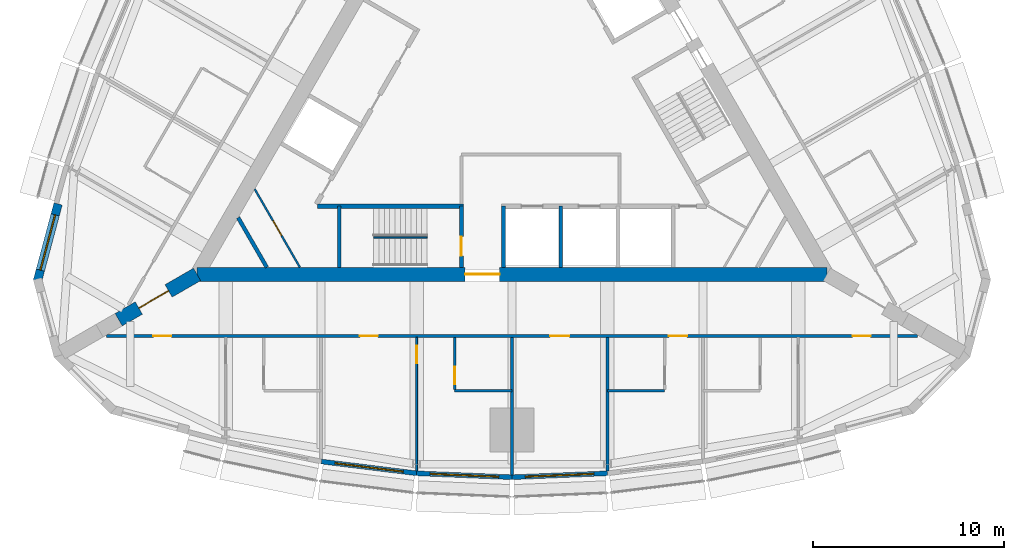
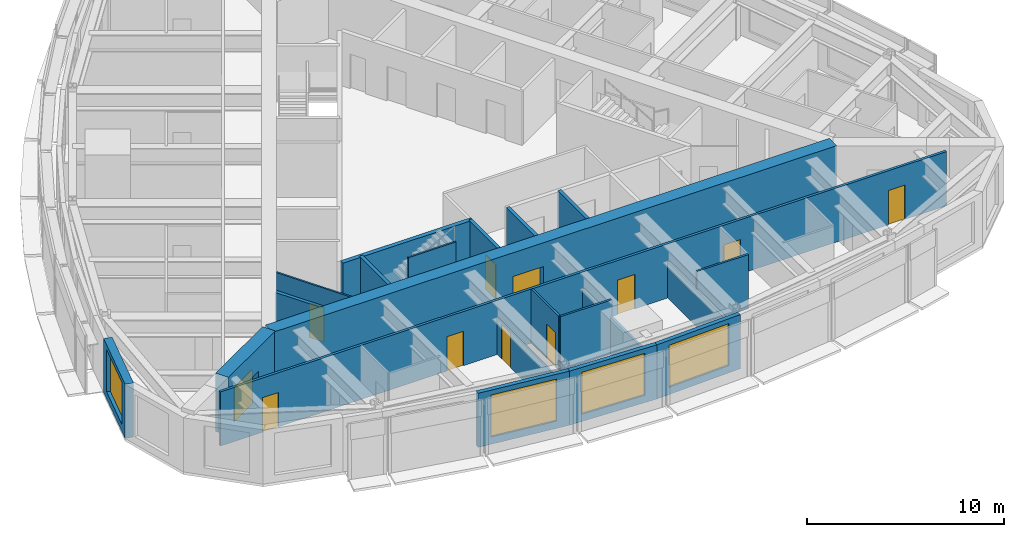
# One storey, part 9 of 15: 21 walls, 11 doors, 4 windows, 15 openings.
"""IFC4 building model written with IfcOpenShell, lengths in metres."""

from ifc_helpers import new_model, si_unit, direction, frame, frame_2d, origin, place, context, subcontext, project, spatial, rectangle, extrude, material, layer, layer_set, type_object, element, fill, save


model = new_model("IFC4")

# Units and contexts
model_context = context("Model", 3, precision=1e-05, world=origin(), true_north=direction((0.0, 1.0)))
body_context = subcontext(model_context, "Body", "Model", "MODEL_VIEW")
ifc_project = project(units=[si_unit("LENGTHUNIT", "METRE"), si_unit("AREAUNIT", "SQUARE_METRE"), si_unit("VOLUMEUNIT", "CUBIC_METRE"), si_unit("PLANEANGLEUNIT", "RADIAN"), si_unit("MASSUNIT", "GRAM", prefix="KILO")], contexts=[model_context])

# Site, building, storey
site_placement = place(None, origin())
site = spatial("IfcSite", under=ifc_project, at=site_placement, CompositionType="ELEMENT")
building_placement = place(site_placement, origin())
building = spatial("IfcBuilding", under=site, at=building_placement, Name="Trikona Tower", CompositionType="ELEMENT")
storey_placement = place(building_placement, frame((0.0, 0.0, 229.699951171875)))
storey = spatial("IfcBuildingStorey", under=building, at=storey_placement, Name="L61", CompositionType="ELEMENT", Elevation=229.699951171875)

# Wall
ifc_material_1 = material(Name="Metal stud and cement board", Category="gypsum")
ifc_layer_1 = layer(ifc_material_1, 0.1201171875)
ifc_layer_set_1 = layer_set([ifc_layer_1], Name="Bathroom wall 120")
wall_type_1 = type_object("IfcWallType", Name="Bathroom wall 120", PredefinedType="PLUMBINGWALL", material=ifc_layer_set_1)
wall_1_placement = place(storey_placement, frame((-3.0, -15.626220703125, 0.0), z_axis=(0.0, 0.0, 1.0), x_axis=(1.0, 0.0, 0.0)))
element("IfcWall", 1, at=wall_1_placement, inside=storey, type_object=wall_type_1, Name="Bathroom wall 6102.1", PredefinedType="PLUMBINGWALL", context=body_context, shape_type="SweptSolid", body=[
    extrude(rectangle(XDim=3.0, YDim=0.1201171875, at=frame_2d((1.5, 0.0))), origin(), (0.0, 0.0, 1.0), 3.35009765625),
])

# Wall, opening, door
wall_2_placement = place(storey_placement, frame((-3.0, -12.826416015625, 0.0), z_axis=(0.0, 0.0, 1.0), x_axis=(0.0, -1.0, 0.0)))
wall_2 = element("IfcWall", 2, at=wall_2_placement, inside=storey, type_object=wall_type_1, Name="Bathroom wall 6102.1", PredefinedType="PLUMBINGWALL", context=body_context, shape_type="SweptSolid", body=[
    extrude(rectangle(XDim=2.739990234375, YDim=0.1201171875, at=frame_2d((1.3701171875, 0.0))), origin(), (0.0, 0.0, 1.0), 3.35009765625),
])
opening_1_placement = place(wall_2_placement, frame((1.550048828125, 0.0, 0.0)))
opening_1 = element("IfcOpeningElement", 3, at=opening_1_placement, cuts=wall_2, Name="Opening D2", PredefinedType="OPENING", context=body_context, shape_type="SweptSolid", body=[
    extrude(rectangle(XDim=0.89990234375, YDim=2.1298828125, at=frame_2d((0.449951171875, 1.06494140625))), frame((0.0, 0.070068359375, 0.0), z_axis=(0.0, -1.0, 0.0), x_axis=(1.0, 0.0, 0.0)), (0.0, 0.0, 1.0), 0.14013671875),
])
ifc_material_2 = material(Name="Steel door frame with solid-core timber leaf", Category="steel")
door_type_1 = type_object("IfcDoorType", Name="Bathroom door 900x2130", OperationType="SLIDING_TO_LEFT", PredefinedType="DOOR", material=ifc_material_2)
door_1_placement = place(opening_1_placement, origin())
door_1 = element("IfcDoor", 4, at=door_1_placement, inside=storey, type_object=door_type_1, Name="Bathroom door 6102.1", OperationType="SLIDING_TO_LEFT", OverallHeight=2.1298828125, OverallWidth=0.89990234375, PredefinedType="DOOR", context=body_context, shape_type="SweptSolid", body=[
    extrude(rectangle(XDim=0.89990234375, YDim=2.1298828125, at=frame_2d((0.449951171875, 1.06494140625))), frame((0.0, 0.02490234375, 0.0), z_axis=(0.0, -1.0, 0.0), x_axis=(1.0, 0.0, 0.0)), (0.0, 0.0, 1.0), 0.050048828125),
])
fill(opening_1, door_1)

# Wall
wall_3_placement = place(storey_placement, frame((5.0, -15.626220703125, 0.0), z_axis=(0.0, 0.0, 1.0), x_axis=(1.0, 0.0, 0.0)))
element("IfcWall", 5, at=wall_3_placement, inside=storey, type_object=wall_type_1, Name="Bathroom wall 6103", PredefinedType="PLUMBINGWALL", context=body_context, shape_type="SweptSolid", body=[
    extrude(rectangle(XDim=3.0, YDim=0.1201171875, at=frame_2d((1.5, 0.0))), origin(), (0.0, 0.0, 1.0), 3.35009765625),
])

# Wall, opening, window
ifc_material_3 = material(Name="Brick-faced precast concrete", Category="masonry")
ifc_layer_2 = layer(ifc_material_3, 0.449951171875)
ifc_layer_set_2 = layer_set([ifc_layer_2], Name="Brick-faced corner wall 450")
wall_type_2 = type_object("IfcWallType", Name="Brick-faced corner wall 450", PredefinedType="SOLIDWALL", material=ifc_layer_set_2)
wall_4_placement = place(storey_placement, frame((-23.78271484375, -5.831787109375, 0.0), z_axis=(0.0, 0.0, 1.0), x_axis=(-0.258784695888, -0.965935029479, 0.0)))
wall_4 = element("IfcWall", 6, at=wall_4_placement, inside=storey, type_object=wall_type_2, Name="External wall L61-32", PredefinedType="SOLIDWALL", context=body_context, shape_type="SweptSolid", body=[
    extrude(rectangle(XDim=4.18408203125, YDim=0.449951171875, at=frame_2d((2.092041015625, 0.0))), origin(), (0.0, 0.0, 1.0), 3.35009765625),
])
opening_2_placement = place(wall_4_placement, frame((0.592041015625, 0.0, 0.449951171875)))
opening_2 = element("IfcOpeningElement", 7, at=opening_2_placement, cuts=wall_4, Name="Opening W3026", PredefinedType="OPENING", context=body_context, shape_type="SweptSolid", body=[
    extrude(rectangle(XDim=3.0, YDim=2.60009765625, at=frame_2d((1.5, 1.300048828125))), frame((0.0, 0.23486328125, 0.0), z_axis=(0.0, -1.0, 0.0), x_axis=(1.0, 0.0, 0.0)), (0.0, 0.0, 1.0), 0.469970703125),
])
ifc_material_4 = material(Name="Aluminium-framed double glazing", Category="aluminium")
window_type_1 = type_object("IfcWindowType", Name="Window 3000x2600", PartitioningType="SINGLE_PANEL", PredefinedType="WINDOW", material=ifc_material_4)
window_1_placement = place(opening_2_placement, origin())
window_1 = element("IfcWindow", 8, at=window_1_placement, inside=storey, type_object=window_type_1, Name="Window 6112", OverallHeight=2.60009765625, OverallWidth=3.0, PartitioningType="SINGLE_PANEL", PredefinedType="WINDOW", context=body_context, shape_type="SweptSolid", body=[
    extrude(rectangle(XDim=3.0, YDim=2.60009765625, at=frame_2d((1.5, 1.300048828125))), frame((0.0, 0.030029296875, 0.0), z_axis=(0.0, -1.0, 0.0), x_axis=(1.0, 0.0, 0.0)), (0.0, 0.0, 1.0), 0.06005859375),
])
fill(opening_2, window_1)

# Wall, opening, door
ifc_material_5 = material(Name="Concrete f'c 10000 psi", Category="concrete")
ifc_layer_3 = layer(ifc_material_5, 0.75)
ifc_layer_set_3 = layer_set([ifc_layer_3], Name="Buttress wall 750")
wall_type_3 = type_object("IfcWallType", Name="Buttress wall 750", PredefinedType="SHEAR", material=ifc_layer_set_3)
wall_5_placement = place(storey_placement, frame((-16.5, -9.5263671875, 0.0), z_axis=(0.0, 0.0, 1.0), x_axis=(-0.866031398331, -0.499989616998, 0.0)))
wall_5 = element("IfcWall", 9, at=wall_5_placement, inside=storey, type_object=wall_type_3, Name="Buttress wall 3", PredefinedType="SHEAR", context=body_context, shape_type="SweptSolid", body=[
    extrude(rectangle(XDim=4.74609375, YDim=0.75, at=frame_2d((2.373046875, 0.0))), origin(), (0.0, 0.0, 1.0), 3.60009765625),
])
opening_3_placement = place(wall_5_placement, frame((1.72509765625, 0.0, 0.0)))
opening_3 = element("IfcOpeningElement", 10, at=opening_3_placement, cuts=wall_5, Name="Opening D10", PredefinedType="OPENING", context=body_context, shape_type="SweptSolid", body=[
    extrude(rectangle(XDim=1.800048828125, YDim=2.1298828125, at=frame_2d((0.89990234375, 1.06494140625))), frame((0.0, 0.385009765625, 0.0), z_axis=(0.0, -1.0, 0.0), x_axis=(1.0, 0.0, 0.0)), (0.0, 0.0, 1.0), 0.77001953125),
])
ifc_material_6 = material(Name="Hollow metal door and frame", Category="steel")
door_type_2 = type_object("IfcDoorType", Name="Cross-corridor door pair 1800x2130", OperationType="DOUBLE_DOOR_DOUBLE_SWING", PredefinedType="DOOR", material=ifc_material_6)
door_2_placement = place(opening_3_placement, origin())
door_2 = element("IfcDoor", 11, at=door_2_placement, inside=storey, type_object=door_type_2, Name="Cross-corridor door 3", OperationType="DOUBLE_DOOR_DOUBLE_SWING", OverallHeight=2.1298828125, OverallWidth=1.800048828125, PredefinedType="DOOR", context=body_context, shape_type="SweptSolid", body=[
    extrude(rectangle(XDim=1.800048828125, YDim=2.1298828125, at=frame_2d((0.89990234375, 1.06494140625))), frame((0.0, 0.02490234375, 0.0), z_axis=(0.0, -1.0, 0.0), x_axis=(1.0, 0.0, 0.0)), (0.0, 0.0, 1.0), 0.050048828125),
])
fill(opening_3, door_2)

ifc_material_7 = material(Name="Concrete f'c 10000 psi", Category="concrete")
ifc_layer_4 = layer(ifc_material_7, 0.75)
ifc_layer_set_4 = layer_set([ifc_layer_4], Name="Core wall 750")
wall_type_4 = type_object("IfcWallType", Name="Core wall 750", PredefinedType="SHEAR", material=ifc_layer_set_4)
wall_6_placement = place(storey_placement, frame((-16.5, -9.5263671875, 0.0), z_axis=(0.0, 0.0, 1.0), x_axis=(1.0, 0.0, 0.0)))
wall_6 = element("IfcWall", 12, at=wall_6_placement, inside=storey, type_object=wall_type_4, Name="Core wall A", PredefinedType="SHEAR", context=body_context, shape_type="SweptSolid", body=[
    extrude(rectangle(XDim=33.0, YDim=0.75, at=frame_2d((16.5, 0.0))), origin(), (0.0, 0.0, 1.0), 3.60009765625),
])
opening_4_placement = place(wall_6_placement, frame((14.050048828125, 0.0, 0.0)))
opening_4 = element("IfcOpeningElement", 13, at=opening_4_placement, cuts=wall_6, Name="Opening D6", PredefinedType="OPENING", context=body_context, shape_type="SweptSolid", body=[
    extrude(rectangle(XDim=1.800048828125, YDim=2.1298828125, at=frame_2d((0.89990234375, 1.06494140625))), frame((0.0, 0.385009765625, 0.0), z_axis=(0.0, -1.0, 0.0), x_axis=(1.0, 0.0, 0.0)), (0.0, 0.0, 1.0), 0.77001953125),
])
ifc_material_8 = material(Name="Hollow metal door and frame", Category="steel")
door_type_3 = type_object("IfcDoorType", Name="Lobby door pair 1800x2130", OperationType="DOUBLE_DOOR_SINGLE_SWING", PredefinedType="DOOR", material=ifc_material_8)
door_3_placement = place(opening_4_placement, origin())
door_3 = element("IfcDoor", 14, at=door_3_placement, inside=storey, type_object=door_type_3, Name="Fire service lift lobby door", OperationType="DOUBLE_DOOR_SINGLE_SWING", OverallHeight=2.1298828125, OverallWidth=1.800048828125, PredefinedType="DOOR", context=body_context, shape_type="SweptSolid", body=[
    extrude(rectangle(XDim=1.800048828125, YDim=2.1298828125, at=frame_2d((0.89990234375, 1.06494140625))), frame((0.0, 0.02490234375, 0.0), z_axis=(0.0, -1.0, 0.0), x_axis=(1.0, 0.0, 0.0)), (0.0, 0.0, 1.0), 0.050048828125),
])
fill(opening_4, door_3)

# Wall, openings, doors
ifc_material_9 = material(Name="Metal stud and gypsum board, 1-hour", Category="gypsum")
ifc_layer_5 = layer(ifc_material_9, 0.14990234375)
ifc_layer_set_5 = layer_set([ifc_layer_5], Name="Corridor wall 150")
wall_type_5 = type_object("IfcWallType", Name="Corridor wall 150", PredefinedType="PARTITIONING", material=ifc_layer_set_5)
wall_7_placement = place(storey_placement, frame((-21.23583984375, -12.751220703125, 0.0), z_axis=(0.0, 0.0, 1.0), x_axis=(1.0, 0.0, 0.0)))
wall_7 = element("IfcWall", 15, at=wall_7_placement, inside=storey, type_object=wall_type_5, Name="Corridor wall L61-1", PredefinedType="PARTITIONING", context=body_context, shape_type="SweptSolid", body=[
    extrude(rectangle(XDim=42.4716796875, YDim=0.14990234375, at=frame_2d((21.23583984375, 0.0))), origin(), (0.0, 0.0, 1.0), 3.35009765625),
])
opening_5_placement = place(wall_7_placement, frame((2.4443359375, 0.0, 0.0)))
opening_5 = element("IfcOpeningElement", 16, at=opening_5_placement, cuts=wall_7, Name="Opening D1", PredefinedType="OPENING", context=body_context, shape_type="SweptSolid", body=[
    extrude(rectangle(XDim=0.949951171875, YDim=2.1298828125, at=frame_2d((0.47509765625, 1.06494140625))), frame((0.0, 0.0849609375, 0.0), z_axis=(0.0, -1.0, 0.0), x_axis=(1.0, 0.0, 0.0)), (0.0, 0.0, 1.0), 0.169921875),
])
opening_6_placement = place(wall_7_placement, frame((13.260986328125, 0.0, 0.0)))
opening_6 = element("IfcOpeningElement", 17, at=opening_6_placement, cuts=wall_7, Name="Opening D1", PredefinedType="OPENING", context=body_context, shape_type="SweptSolid", body=[
    extrude(rectangle(XDim=0.949951171875, YDim=2.1298828125, at=frame_2d((0.47509765625, 1.06494140625))), frame((0.0, 0.0849609375, 0.0), z_axis=(0.0, -1.0, 0.0), x_axis=(1.0, 0.0, 0.0)), (0.0, 0.0, 1.0), 0.169921875),
])
opening_7_placement = place(wall_7_placement, frame((23.23583984375, 0.0, 0.0)))
opening_7 = element("IfcOpeningElement", 18, at=opening_7_placement, cuts=wall_7, Name="Opening D3", PredefinedType="OPENING", context=body_context, shape_type="SweptSolid", body=[
    extrude(rectangle(XDim=1.0, YDim=2.1298828125, at=frame_2d((0.5, 1.06494140625))), frame((0.0, 0.0849609375, 0.0), z_axis=(0.0, -1.0, 0.0), x_axis=(1.0, 0.0, 0.0)), (0.0, 0.0, 1.0), 0.169921875),
])
opening_8_placement = place(wall_7_placement, frame((29.4609375, 0.0, 0.0)))
opening_8 = element("IfcOpeningElement", 19, at=opening_8_placement, cuts=wall_7, Name="Opening D1", PredefinedType="OPENING", context=body_context, shape_type="SweptSolid", body=[
    extrude(rectangle(XDim=0.949951171875, YDim=2.1298828125, at=frame_2d((0.47509765625, 1.06494140625))), frame((0.0, 0.0849609375, 0.0), z_axis=(0.0, -1.0, 0.0), x_axis=(1.0, 0.0, 0.0)), (0.0, 0.0, 1.0), 0.169921875),
])
opening_9_placement = place(wall_7_placement, frame((39.077392578125, 0.0, 0.0)))
opening_9 = element("IfcOpeningElement", 20, at=opening_9_placement, cuts=wall_7, Name="Opening D1", PredefinedType="OPENING", context=body_context, shape_type="SweptSolid", body=[
    extrude(rectangle(XDim=0.949951171875, YDim=2.1298828125, at=frame_2d((0.47509765625, 1.06494140625))), frame((0.0, 0.0849609375, 0.0), z_axis=(0.0, -1.0, 0.0), x_axis=(1.0, 0.0, 0.0)), (0.0, 0.0, 1.0), 0.169921875),
])
ifc_material_10 = material(Name="Steel door frame with solid-core timber leaf", Category="steel")
door_type_4 = type_object("IfcDoorType", Name="Guest room door 950x2130", OperationType="SINGLE_SWING_LEFT", PredefinedType="DOOR", material=ifc_material_10)
door_4_placement = place(opening_5_placement, origin())
door_4 = element("IfcDoor", 21, at=door_4_placement, inside=storey, type_object=door_type_4, Name="Room door 6101", OperationType="SINGLE_SWING_LEFT", OverallHeight=2.1298828125, OverallWidth=0.949951171875, PredefinedType="DOOR", context=body_context, shape_type="SweptSolid", body=[
    extrude(rectangle(XDim=0.949951171875, YDim=2.1298828125, at=frame_2d((0.47509765625, 1.06494140625))), frame((0.0, 0.02490234375, 0.0), z_axis=(0.0, -1.0, 0.0), x_axis=(1.0, 0.0, 0.0)), (0.0, 0.0, 1.0), 0.050048828125),
])
fill(opening_5, door_4)
door_5_placement = place(opening_6_placement, origin())
door_5 = element("IfcDoor", 22, at=door_5_placement, inside=storey, type_object=door_type_4, Name="Room door 6102", OperationType="SINGLE_SWING_RIGHT", OverallHeight=2.1298828125, OverallWidth=0.949951171875, PredefinedType="DOOR", context=body_context, shape_type="SweptSolid", body=[
    extrude(rectangle(XDim=0.949951171875, YDim=2.1298828125, at=frame_2d((0.47509765625, 1.06494140625))), frame((0.0, 0.02490234375, 0.0), z_axis=(0.0, -1.0, 0.0), x_axis=(1.0, 0.0, 0.0)), (0.0, 0.0, 1.0), 0.050048828125),
])
fill(opening_6, door_5)
door_6_placement = place(opening_8_placement, origin())
door_6 = element("IfcDoor", 23, at=door_6_placement, inside=storey, type_object=door_type_4, Name="Room door 6103", OperationType="SINGLE_SWING_RIGHT", OverallHeight=2.1298828125, OverallWidth=0.949951171875, PredefinedType="DOOR", context=body_context, shape_type="SweptSolid", body=[
    extrude(rectangle(XDim=0.949951171875, YDim=2.1298828125, at=frame_2d((0.47509765625, 1.06494140625))), frame((0.0, 0.02490234375, 0.0), z_axis=(0.0, -1.0, 0.0), x_axis=(1.0, 0.0, 0.0)), (0.0, 0.0, 1.0), 0.050048828125),
])
fill(opening_8, door_6)
door_7_placement = place(opening_9_placement, origin())
door_7 = element("IfcDoor", 24, at=door_7_placement, inside=storey, type_object=door_type_4, Name="Room door 6104", OperationType="SINGLE_SWING_RIGHT", OverallHeight=2.1298828125, OverallWidth=0.949951171875, PredefinedType="DOOR", context=body_context, shape_type="SweptSolid", body=[
    extrude(rectangle(XDim=0.949951171875, YDim=2.1298828125, at=frame_2d((0.47509765625, 1.06494140625))), frame((0.0, 0.02490234375, 0.0), z_axis=(0.0, -1.0, 0.0), x_axis=(1.0, 0.0, 0.0)), (0.0, 0.0, 1.0), 0.050048828125),
])
fill(opening_9, door_7)
ifc_material_11 = material(Name="Steel door frame with solid-core timber leaf", Category="steel")
door_type_5 = type_object("IfcDoorType", Name="Room door 1000x2130", OperationType="SINGLE_SWING_LEFT", PredefinedType="DOOR", material=ifc_material_11)
door_8_placement = place(opening_7_placement, origin())
door_8 = element("IfcDoor", 25, at=door_8_placement, inside=storey, type_object=door_type_5, Name="Door Housekeeping pantry", OperationType="SINGLE_SWING_LEFT", OverallHeight=2.1298828125, OverallWidth=1.0, PredefinedType="DOOR", context=body_context, shape_type="SweptSolid", body=[
    extrude(rectangle(XDim=1.0, YDim=2.1298828125, at=frame_2d((0.5, 1.06494140625))), frame((0.0, 0.02490234375, 0.0), z_axis=(0.0, -1.0, 0.0), x_axis=(1.0, 0.0, 0.0)), (0.0, 0.0, 1.0), 0.050048828125),
])
fill(opening_7, door_8)

# Wall
ifc_material_12 = material(Name="Concrete f'c 8000 psi", Category="concrete")
ifc_layer_6 = layer(ifc_material_12, 0.25)
ifc_layer_set_6 = layer_set([ifc_layer_6], Name="Hub wall 250")
wall_type_6 = type_object("IfcWallType", Name="Hub wall 250", PredefinedType="SOLIDWALL", material=ifc_layer_set_6)
wall_8_placement = place(storey_placement, frame((-10.182861328125, -5.951416015625, 0.0), z_axis=(0.0, 0.0, 1.0), x_axis=(1.0, 0.0, 0.0)))
element("IfcWall", 26, at=wall_8_placement, inside=storey, type_object=wall_type_6, Name="Lift lobby wall A1", PredefinedType="SOLIDWALL", context=body_context, shape_type="SweptSolid", body=[
    extrude(rectangle(XDim=7.6328125, YDim=0.25, at=frame_2d((3.81640625, 0.0))), origin(), (0.0, 0.0, 1.0), 3.35009765625),
])

# Wall, opening, window
ifc_material_13 = material(Name="Insulated precast concrete spandrel panel", Category="concrete")
ifc_layer_7 = layer(ifc_material_13, 0.25)
ifc_layer_set_7 = layer_set([ifc_layer_7], Name="Inner skin wall 250")
wall_type_7 = type_object("IfcWallType", Name="Inner skin wall 250", PredefinedType="STANDARD", material=ifc_layer_set_7)
wall_9_placement = place(storey_placement, frame((-9.984619140625, -19.330078125, 0.0), z_axis=(0.0, 0.0, 1.0), x_axis=(0.992449874964, -0.12265090984, 0.0)))
wall_9 = element("IfcWall", 27, at=wall_9_placement, inside=storey, type_object=wall_type_7, Name="External wall L61-02", PredefinedType="STANDARD", context=body_context, shape_type="SweptSolid", body=[
    extrude(rectangle(XDim=5.0380859375, YDim=0.25, at=frame_2d((2.51904296875, 0.0))), origin(), (0.0, 0.0, 1.0), 3.35009765625),
])
opening_10_placement = place(wall_9_placement, frame((0.718994140625, 0.0, 0.449951171875)))
opening_10 = element("IfcOpeningElement", 28, at=opening_10_placement, cuts=wall_9, Name="Opening W3626", PredefinedType="OPENING", context=body_context, shape_type="SweptSolid", body=[
    extrude(rectangle(XDim=3.60009765625, YDim=2.60009765625, at=frame_2d((1.800048828125, 1.300048828125))), frame((0.0, 0.135009765625, 0.0), z_axis=(0.0, -1.0, 0.0), x_axis=(1.0, 0.0, 0.0)), (0.0, 0.0, 1.0), 0.27001953125),
])
ifc_material_14 = material(Name="Aluminium-framed double glazing", Category="aluminium")
window_type_2 = type_object("IfcWindowType", Name="Window 3600x2600", PartitioningType="SINGLE_PANEL", PredefinedType="WINDOW", material=ifc_material_14)
window_2_placement = place(opening_10_placement, origin())
window_2 = element("IfcWindow", 29, at=window_2_placement, inside=storey, type_object=window_type_2, Name="Window 6102", OverallHeight=2.60009765625, OverallWidth=3.60009765625, PartitioningType="SINGLE_PANEL", PredefinedType="WINDOW", context=body_context, shape_type="SweptSolid", body=[
    extrude(rectangle(XDim=3.60009765625, YDim=2.60009765625, at=frame_2d((1.800048828125, 1.300048828125))), frame((0.0, 0.030029296875, 0.0), z_axis=(0.0, -1.0, 0.0), x_axis=(1.0, 0.0, 0.0)), (0.0, 0.0, 1.0), 0.06005859375),
])
fill(opening_10, window_2)

wall_10_placement = place(storey_placement, frame((-4.994873046875, -19.947021484375, 0.0), z_axis=(0.0, 0.0, 1.0), x_axis=(0.999151909423, -0.041175986892, 0.0)))
wall_10 = element("IfcWall", 30, at=wall_10_placement, inside=storey, type_object=wall_type_7, Name="External wall L61-03", PredefinedType="STANDARD", context=body_context, shape_type="SweptSolid", body=[
    extrude(rectangle(XDim=5.004150390625, YDim=0.25, at=frame_2d((2.501953125, 0.0))), origin(), (0.0, 0.0, 1.0), 3.35009765625),
])
opening_11_placement = place(wall_10_placement, frame((0.7021484375, 0.0, 0.449951171875)))
opening_11 = element("IfcOpeningElement", 31, at=opening_11_placement, cuts=wall_10, Name="Opening W3626", PredefinedType="OPENING", context=body_context, shape_type="SweptSolid", body=[
    extrude(rectangle(XDim=3.60009765625, YDim=2.60009765625, at=frame_2d((1.800048828125, 1.300048828125))), frame((0.0, 0.135009765625, 0.0), z_axis=(0.0, -1.0, 0.0), x_axis=(1.0, 0.0, 0.0)), (0.0, 0.0, 1.0), 0.27001953125),
])
window_3_placement = place(opening_11_placement, origin())
window_3 = element("IfcWindow", 32, at=window_3_placement, inside=storey, type_object=window_type_2, Name="Window 6102.1", OverallHeight=2.60009765625, OverallWidth=3.60009765625, PartitioningType="SINGLE_PANEL", PredefinedType="WINDOW", context=body_context, shape_type="SweptSolid", body=[
    extrude(rectangle(XDim=3.60009765625, YDim=2.60009765625, at=frame_2d((1.800048828125, 1.300048828125))), frame((0.0, 0.030029296875, 0.0), z_axis=(0.0, -1.0, 0.0), x_axis=(1.0, 0.0, 0.0)), (0.0, 0.0, 1.0), 0.06005859375),
])
fill(opening_11, window_3)

wall_11_placement = place(storey_placement, frame((-0.005126953125, -20.153076171875, 0.0), z_axis=(0.0, 0.0, 1.0), x_axis=(0.999151909423, 0.041175986892, 0.0)))
wall_11 = element("IfcWall", 33, at=wall_11_placement, inside=storey, type_object=wall_type_7, Name="External wall L61-04", PredefinedType="STANDARD", context=body_context, shape_type="SweptSolid", body=[
    extrude(rectangle(XDim=5.004150390625, YDim=0.25, at=frame_2d((2.501953125, 0.0))), origin(), (0.0, 0.0, 1.0), 3.35009765625),
])
opening_12_placement = place(wall_11_placement, frame((0.7021484375, 0.0, 0.449951171875)))
opening_12 = element("IfcOpeningElement", 34, at=opening_12_placement, cuts=wall_11, Name="Opening W3626", PredefinedType="OPENING", context=body_context, shape_type="SweptSolid", body=[
    extrude(rectangle(XDim=3.60009765625, YDim=2.60009765625, at=frame_2d((1.800048828125, 1.300048828125))), frame((0.0, 0.135009765625, 0.0), z_axis=(0.0, -1.0, 0.0), x_axis=(1.0, 0.0, 0.0)), (0.0, 0.0, 1.0), 0.27001953125),
])
window_4_placement = place(opening_12_placement, origin())
window_4 = element("IfcWindow", 35, at=window_4_placement, inside=storey, type_object=window_type_2, Name="Window L61-HKP", OverallHeight=2.60009765625, OverallWidth=3.60009765625, PartitioningType="SINGLE_PANEL", PredefinedType="WINDOW", context=body_context, shape_type="SweptSolid", body=[
    extrude(rectangle(XDim=3.60009765625, YDim=2.60009765625, at=frame_2d((1.800048828125, 1.300048828125))), frame((0.0, 0.030029296875, 0.0), z_axis=(0.0, -1.0, 0.0), x_axis=(1.0, 0.0, 0.0)), (0.0, 0.0, 1.0), 0.06005859375),
])
fill(opening_12, window_4)

# Walls
ifc_material_15 = material(Name="Metal stud and gypsum board, 1-hour acoustic", Category="gypsum")
ifc_layer_8 = layer(ifc_material_15, 0.14990234375)
ifc_layer_set_8 = layer_set([ifc_layer_8], Name="Party wall 150")
wall_type_8 = type_object("IfcWallType", Name="Party wall 150", PredefinedType="PARTITIONING", material=ifc_layer_set_8)
wall_12_placement = place(storey_placement, frame((0.0, -12.826416015625, 0.0), z_axis=(0.0, 0.0, 1.0), x_axis=(0.0, -1.0, 0.0)))
element("IfcWall", 36, at=wall_12_placement, inside=storey, type_object=wall_type_8, Name="Partition L61 F1 u0", PredefinedType="PARTITIONING", context=body_context, shape_type="SweptSolid", body=[
    extrude(rectangle(XDim=7.201171875, YDim=0.14990234375, at=frame_2d((3.6005859375, 0.0))), origin(), (0.0, 0.0, 1.0), 2.30859375),
])
wall_13_placement = place(storey_placement, frame((5.0, -12.826416015625, 0.0), z_axis=(0.0, 0.0, 1.0), x_axis=(0.0, -1.0, 0.0)))
element("IfcWall", 37, at=wall_13_placement, inside=storey, type_object=wall_type_8, Name="Partition L61 F1 u5", PredefinedType="PARTITIONING", context=body_context, shape_type="SweptSolid", body=[
    extrude(rectangle(XDim=6.99365234375, YDim=0.14990234375, at=frame_2d((3.496826171875, 0.0))), origin(), (0.0, 0.0, 1.0), 2.25),
])
ifc_material_16 = material(Name="Concrete f'c 8000 psi", Category="concrete")
ifc_layer_9 = layer(ifc_material_16, 0.199951171875)
ifc_layer_set_9 = layer_set([ifc_layer_9], Name="Shaft wall 200")
wall_type_9 = type_object("IfcWallType", Name="Shaft wall 200", PredefinedType="SOLIDWALL", material=ifc_layer_set_9)
for number, where, z_axis, x_axis, name in (
    (38, (-0.449951171875, -5.951416015625, 0.0), (0.0, 0.0, 1.0), (0.0, -1.0, 0.0), "Shaft wall A3"),
    (39, (2.550048828125, -5.951416015625, 0.0), (0.0, 0.0, 1.0), (0.0, -1.0, 0.0), "Shaft wall A4"),
):
    element("IfcWall", number, at=place(storey_placement, frame(where, z_axis=z_axis, x_axis=x_axis)), inside=storey, type_object=wall_type_9, Name=name, PredefinedType="SOLIDWALL", context=body_context, shape_type="SweptSolid", body=[
        extrude(rectangle(XDim=3.199951171875, YDim=0.199951171875, at=frame_2d((1.60009765625, 0.0))), origin(), (0.0, 0.0, 1.0), 3.35009765625),
    ])
wall_14_placement = place(storey_placement, frame((-12.848388671875, -9.1513671875, 0.0), z_axis=(0.0, 0.0, 1.0), x_axis=(-0.499952404951, 0.866052881055, 0.0)))
element("IfcWall", 40, at=wall_14_placement, inside=storey, type_object=wall_type_9, Name="Riser wall L61-RS3", PredefinedType="SOLIDWALL", context=body_context, shape_type="SweptSolid", body=[
    extrude(rectangle(XDim=3.002197265625, YDim=0.199951171875, at=frame_2d((1.5009765625, 0.0))), origin(), (0.0, 0.0, 1.0), 3.35009765625),
])
ifc_material_17 = material(Name="Concrete f'c 8000 psi", Category="concrete")
ifc_layer_10 = layer(ifc_material_17, 0.199951171875)
ifc_layer_set_10 = layer_set([ifc_layer_10], Name="Shaft wall 200 load-bearing")
wall_type_10 = type_object("IfcWallType", Name="Shaft wall 200 load-bearing", PredefinedType="SOLIDWALL", material=ifc_layer_set_10)
wall_15_placement = place(storey_placement, frame((-9.050048828125, -5.951416015625, 0.0), z_axis=(0.0, 0.0, 1.0), x_axis=(0.0, -1.0, 0.0)))
element("IfcWall", 41, at=wall_15_placement, inside=storey, type_object=wall_type_10, Name="Shaft wall A1", PredefinedType="SOLIDWALL", context=body_context, shape_type="SweptSolid", body=[
    extrude(rectangle(XDim=3.199951171875, YDim=0.199951171875, at=frame_2d((1.60009765625, 0.0))), origin(), (0.0, 0.0, 1.0), 3.35009765625),
])

# Wall, opening, door
wall_16_placement = place(storey_placement, frame((-2.64990234375, -5.951416015625, 0.0), z_axis=(0.0, 0.0, 1.0), x_axis=(0.0, -1.0, 0.0)))
wall_16 = element("IfcWall", 42, at=wall_16_placement, inside=storey, type_object=wall_type_10, Name="Shaft wall A2", PredefinedType="SOLIDWALL", context=body_context, shape_type="SweptSolid", body=[
    extrude(rectangle(XDim=3.199951171875, YDim=0.199951171875, at=frame_2d((1.60009765625, 0.0))), origin(), (0.0, 0.0, 1.0), 3.35009765625),
])
opening_13_placement = place(wall_16_placement, frame((1.60009765625, 0.0, 0.0)))
opening_13 = element("IfcOpeningElement", 43, at=opening_13_placement, cuts=wall_16, Name="Opening D5", PredefinedType="OPENING", context=body_context, shape_type="SweptSolid", body=[
    extrude(rectangle(XDim=1.0, YDim=2.1298828125, at=frame_2d((0.5, 1.06494140625))), frame((0.0, 0.10986328125, 0.0), z_axis=(0.0, -1.0, 0.0), x_axis=(1.0, 0.0, 0.0)), (0.0, 0.0, 1.0), 0.219970703125),
])
ifc_material_18 = material(Name="Hollow metal door and frame", Category="steel")
door_type_6 = type_object("IfcDoorType", Name="Stair door 1000x2130", OperationType="SINGLE_SWING_LEFT", PredefinedType="DOOR", material=ifc_material_18)
door_9_placement = place(opening_13_placement, origin())
door_9 = element("IfcDoor", 44, at=door_9_placement, inside=storey, type_object=door_type_6, Name="Stair A door", OperationType="SINGLE_SWING_RIGHT", OverallHeight=2.1298828125, OverallWidth=1.0, PredefinedType="DOOR", context=body_context, shape_type="SweptSolid", body=[
    extrude(rectangle(XDim=1.0, YDim=2.1298828125, at=frame_2d((0.5, 1.06494140625))), frame((0.0, 0.02490234375, 0.0), z_axis=(0.0, -1.0, 0.0), x_axis=(1.0, 0.0, 0.0)), (0.0, 0.0, 1.0), 0.050048828125),
])
fill(opening_13, door_9)

# Wall
ifc_material_19 = material(Name="Concrete f'c 5000 psi", Category="concrete")
ifc_layer_11 = layer(ifc_material_19, 0.10009765625)
ifc_layer_set_11 = layer_set([ifc_layer_11], Name="Stair spine wall 100")
wall_type_11 = type_object("IfcWallType", Name="Stair spine wall 100", PredefinedType="SOLIDWALL", material=ifc_layer_set_11)
wall_17_placement = place(storey_placement, frame((-7.2470703125, -7.576416015625, 0.0), z_axis=(0.0, 0.0, 1.0), x_axis=(1.0, 0.0, 0.0)))
element("IfcWall", 45, at=wall_17_placement, inside=storey, type_object=wall_type_11, Name="Stair A spine wall L61", PredefinedType="SOLIDWALL", context=body_context, shape_type="SweptSolid", body=[
    extrude(rectangle(XDim=2.794189453125, YDim=0.10009765625, at=frame_2d((1.39697265625, 0.0))), origin(), (0.0, 0.0, 1.0), 3.60009765625),
])

# Wall, opening, door
ifc_material_20 = material(Name="Metal stud and gypsum board, acoustic", Category="gypsum")
ifc_layer_12 = layer(ifc_material_20, 0.10009765625)
ifc_layer_set_12 = layer_set([ifc_layer_12], Name="Suite partition 100")
wall_type_12 = type_object("IfcWallType", Name="Suite partition 100", PredefinedType="PARTITIONING", material=ifc_layer_set_12)
wall_18_placement = place(storey_placement, frame((-5.0, -12.826416015625, 0.0), z_axis=(0.0, 0.0, 1.0), x_axis=(0.0, -1.0, 0.0)))
wall_18 = element("IfcWall", 46, at=wall_18_placement, inside=storey, type_object=wall_type_12, Name="Suite partition L61 F1 u-5", PredefinedType="PARTITIONING", context=body_context, shape_type="SweptSolid", body=[
    extrude(rectangle(XDim=6.99365234375, YDim=0.10009765625, at=frame_2d((3.496826171875, 0.0))), origin(), (0.0, 0.0, 1.0), 2.25),
])
opening_14_placement = place(wall_18_placement, frame((0.449951171875, 0.0, 0.0)))
opening_14 = element("IfcOpeningElement", 47, at=opening_14_placement, cuts=wall_18, Name="Opening D13", PredefinedType="OPENING", context=body_context, shape_type="SweptSolid", body=[
    extrude(rectangle(XDim=0.89990234375, YDim=2.1298828125, at=frame_2d((0.449951171875, 1.06494140625))), frame((0.0, 0.06005859375, 0.0), z_axis=(0.0, -1.0, 0.0), x_axis=(1.0, 0.0, 0.0)), (0.0, 0.0, 1.0), 0.1201171875),
])
ifc_material_21 = material(Name="Steel door frame with solid-core timber leaf", Category="steel")
door_type_7 = type_object("IfcDoorType", Name="Suite door 900x2130", OperationType="SINGLE_SWING_LEFT", PredefinedType="DOOR", material=ifc_material_21)
door_10_placement = place(opening_14_placement, origin())
door_10 = element("IfcDoor", 48, at=door_10_placement, inside=storey, type_object=door_type_7, Name="Suite door 6102", OperationType="SINGLE_SWING_LEFT", OverallHeight=2.1298828125, OverallWidth=0.89990234375, PredefinedType="DOOR", context=body_context, shape_type="SweptSolid", body=[
    extrude(rectangle(XDim=0.89990234375, YDim=2.1298828125, at=frame_2d((0.449951171875, 1.06494140625))), frame((0.0, 0.02490234375, 0.0), z_axis=(0.0, -1.0, 0.0), x_axis=(1.0, 0.0, 0.0)), (0.0, 0.0, 1.0), 0.050048828125),
])
fill(opening_14, door_10)

wall_19_placement = place(storey_placement, frame((-11.1162109375, -9.1513671875, 0.0), z_axis=(0.0, 0.0, 1.0), x_axis=(-0.499999210213, 0.866025859768, 0.0)))
wall_19 = element("IfcWall", 49, at=wall_19_placement, inside=storey, type_object=wall_type_12, Name="Store partition L61-RS3", PredefinedType="PARTITIONING", context=body_context, shape_type="SweptSolid", body=[
    extrude(rectangle(XDim=4.734375, YDim=0.10009765625, at=frame_2d((2.3671875, 0.0))), origin(), (0.0, 0.0, 1.0), 3.35009765625),
])
opening_15_placement = place(wall_19_placement, frame((1.917236328125, 0.0, 0.0)))
opening_15 = element("IfcOpeningElement", 50, at=opening_15_placement, cuts=wall_19, Name="Opening D15", PredefinedType="OPENING", context=body_context, shape_type="SweptSolid", body=[
    extrude(rectangle(XDim=0.89990234375, YDim=2.1298828125, at=frame_2d((0.449951171875, 1.06494140625))), frame((0.0, 0.06005859375, 0.0), z_axis=(0.0, -1.0, 0.0), x_axis=(1.0, 0.0, 0.0)), (0.0, 0.0, 1.0), 0.1201171875),
])
ifc_material_22 = material(Name="Steel door frame with solid-core timber leaf", Category="steel")
door_type_8 = type_object("IfcDoorType", Name="Store door 900x2130", OperationType="SINGLE_SWING_LEFT", PredefinedType="DOOR", material=ifc_material_22)
door_11_placement = place(opening_15_placement, origin())
door_11 = element("IfcDoor", 51, at=door_11_placement, inside=storey, type_object=door_type_8, Name="Door Cleaner's store CLN", OperationType="SINGLE_SWING_RIGHT", OverallHeight=2.1298828125, OverallWidth=0.89990234375, PredefinedType="DOOR", context=body_context, shape_type="SweptSolid", body=[
    extrude(rectangle(XDim=0.89990234375, YDim=2.1298828125, at=frame_2d((0.449951171875, 1.06494140625))), frame((0.0, 0.02490234375, 0.0), z_axis=(0.0, -1.0, 0.0), x_axis=(1.0, 0.0, 0.0)), (0.0, 0.0, 1.0), 0.050048828125),
])
fill(opening_15, door_11)

save(model, "model.ifc")
